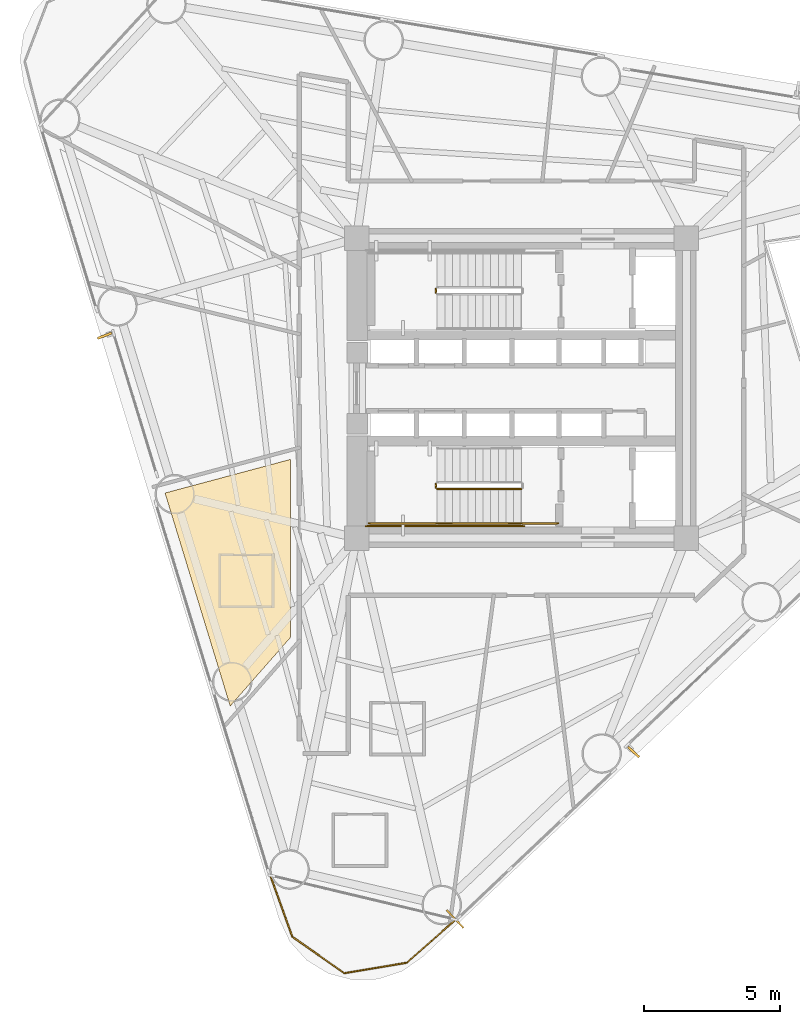
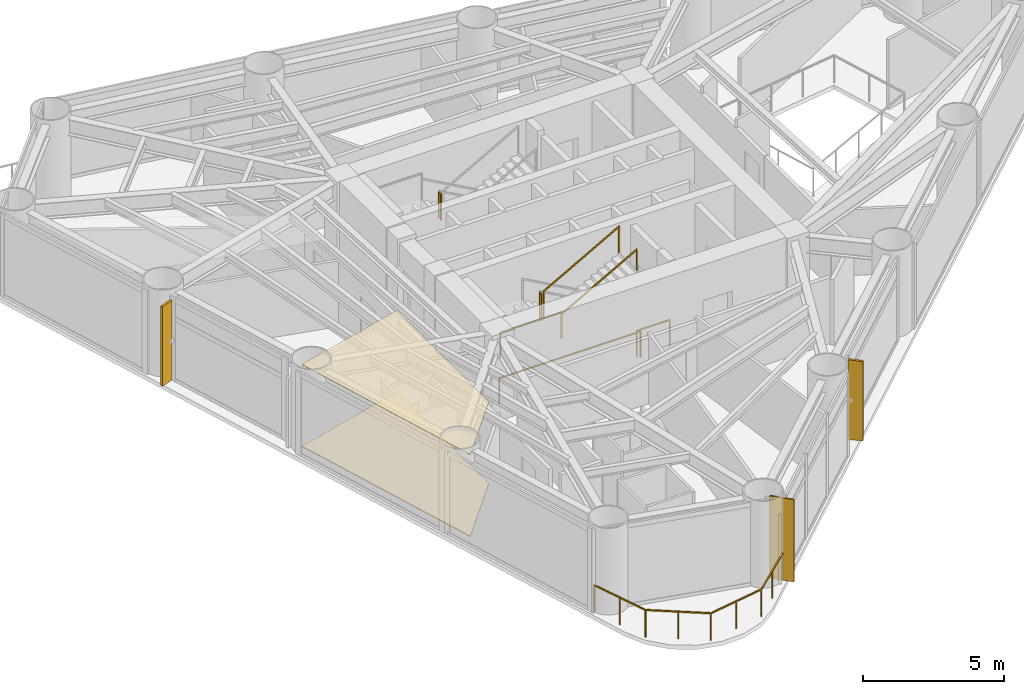
# One storey, part 8 of 10: 8 railings, 3 coverings, 2 shading devices.
"""IFC4 building model written with IfcOpenShell, lengths in metres."""

import ifcopenshell
import ifcopenshell.guid

model = None  # the IFC model being written
_history = None  # IfcOwnerHistory: only IFC2X3 demands one
_inside = {}  # id of a spatial element -> (the spatial element, [elements in it])
_under = {}  # id of a project, library or spatial element -> (it, [spatial elements below it])
_declared = {}  # id of a project -> (the project, [libraries it declares])
_typed = {}  # id of a type object -> (the type object, [elements of that type])
_made_of = {}  # id of a material, layer set ... -> (it, [elements and type objects made of it])


def new_model(schema):
    """Start an empty IFC model of exactly this schema.

    Asked for "IFC4X3", IfcOpenShell would pick the latest addendum, in which some entities
    have other attributes; the version numbers below select the first issue.
    IFC2X3 requires an IfcOwnerHistory on every rooted entity: one is made here for all.
    """
    global model, _history
    if schema == "IFC4X3":
        model = ifcopenshell.file(schema_version=(4, 3, 0, 0))
    else:
        model = ifcopenshell.file(schema=schema)
    _inside.clear()
    _under.clear()
    _declared.clear()
    _typed.clear()
    _made_of.clear()
    _history = None
    if model.schema == "IFC2X3":
        org = make("IfcOrganization", Name="unknown")
        user = make(
            "IfcPersonAndOrganization",
            ThePerson=make("IfcPerson", FamilyName="unknown"),
            TheOrganization=org,
        )
        app = make(
            "IfcApplication",
            ApplicationDeveloper=org,
            Version="unknown",
            ApplicationFullName="unknown",
            ApplicationIdentifier="unknown",
        )
        _history = make(
            "IfcOwnerHistory",
            OwningUser=user,
            OwningApplication=app,
            ChangeAction="ADDED",
            CreationDate=0,
        )
    return model


def make(cls, **values):
    """One entity of the class cls with the attributes given. An attribute that is None is left unset."""
    return model.create_entity(
        cls, **{name: value for name, value in values.items() if value is not None}
    )


def rooted(cls, **values):
    """An entity with a GlobalId (a new one), such as an element, a storey or a relation."""
    return make(cls, GlobalId=ifcopenshell.guid.new(), OwnerHistory=_history, **values)


def si_unit(unit_type, name, prefix=None):
    """IfcSIUnit, for example si_unit("LENGTHUNIT", "METRE", prefix="MILLI")."""
    return make("IfcSIUnit", UnitType=unit_type, Prefix=prefix, Name=name)


def assignment(units):
    """IfcUnitAssignment: the units of a project."""
    return None if units is None else make("IfcUnitAssignment", Units=units)


def point(xyz):
    """IfcCartesianPoint."""
    return None if xyz is None else make("IfcCartesianPoint", Coordinates=xyz)


def direction(xyz):
    """IfcDirection."""
    return None if xyz is None else make("IfcDirection", DirectionRatios=xyz)


def frame(location, z_axis=None, x_axis=None):
    """IfcAxis2Placement3D, a coordinate frame: its origin and axes. An axis left out is left unset."""
    return make(
        "IfcAxis2Placement3D",
        Location=point(location),
        Axis=direction(z_axis),
        RefDirection=direction(x_axis),
    )


def frame_2d(location, x_axis=None):
    """IfcAxis2Placement2D, a coordinate frame in the plane: its origin and x axis."""
    return make(
        "IfcAxis2Placement2D", Location=point(location), RefDirection=direction(x_axis)
    )


def origin():
    """The frame at (0, 0, 0) with its axes left unset."""
    return frame((0.0, 0.0, 0.0))


def origin_2d():
    """The frame at (0, 0) in the plane with its x axis left unset."""
    return frame_2d((0.0, 0.0))


def place(relative_to, where):
    """IfcLocalPlacement: puts the frame where relative to a parent placement (None: the world)."""
    return make(
        "IfcLocalPlacement", PlacementRelTo=relative_to, RelativePlacement=where
    )


def context(
    kind, dimensions, precision=None, world=None, true_north=None, identifier=None
):
    """IfcGeometricRepresentationContext, for example the 3D "Model" context."""
    return make(
        "IfcGeometricRepresentationContext",
        ContextIdentifier=identifier,
        ContextType=kind,
        CoordinateSpaceDimension=dimensions,
        Precision=precision,
        WorldCoordinateSystem=world,
        TrueNorth=true_north,
    )


def subcontext(parent, identifier, kind, view, scale=None):
    """IfcGeometricRepresentationSubContext, for example "Body" below "Model"."""
    return make(
        "IfcGeometricRepresentationSubContext",
        ContextIdentifier=identifier,
        ContextType=kind,
        ParentContext=parent,
        TargetScale=scale,
        TargetView=view,
    )


def project(units=None, contexts=None):
    """IfcProject with its units and contexts."""
    return rooted(
        "IfcProject",
        Name="project",
        RepresentationContexts=contexts,
        UnitsInContext=assignment(units),
    )


def spatial(cls, under=None, at=None, **own):
    """A site, building, storey or space (cls), placed at a placement, below another one or the project."""
    s = rooted(cls, ObjectPlacement=at, **own)
    if under is not None:
        _under.setdefault(under.id(), (under, []))[1].append(s)
    return s


def polyline(points):
    """IfcPolyline through the points."""
    return make("IfcPolyline", Points=[point(p) for p in points])


def profile(cls, at=None, kind="AREA", **sizes):
    """A parametric profile (cls). Its sizes go by their IFC names, for example OverallWidth=200.0."""
    return make(cls, ProfileType=kind, Position=at, **sizes)


def rectangle(**sizes):
    """IfcRectangleProfileDef."""
    return profile("IfcRectangleProfileDef", **sizes)


def outline(outer, holes=None, kind="AREA"):
    """IfcArbitraryClosedProfileDef: a profile drawn as a closed curve; with holes, ...WithVoids."""
    if holes is None:
        return make("IfcArbitraryClosedProfileDef", ProfileType=kind, OuterCurve=outer)
    return make(
        "IfcArbitraryProfileDefWithVoids",
        ProfileType=kind,
        OuterCurve=outer,
        InnerCurves=holes,
    )


def extrude(swept, where, along, depth):
    """IfcExtrudedAreaSolid: the profile swept, set in the frame where, extruded along a direction by depth."""
    return make(
        "IfcExtrudedAreaSolid",
        SweptArea=swept,
        Position=where,
        ExtrudedDirection=direction(along),
        Depth=depth,
    )


def shape(context_of_items, identifier, shape_type, items):
    """IfcShapeRepresentation: the items that make up one representation, for example the "Body"."""
    return make(
        "IfcShapeRepresentation",
        ContextOfItems=context_of_items,
        RepresentationIdentifier=identifier,
        RepresentationType=shape_type,
        Items=items,
    )


def source(mapping_origin, context_of_items, identifier, shape_type, items):
    """IfcRepresentationMap: a shape defined once, which mapped items show again and again."""
    return make(
        "IfcRepresentationMap",
        MappingOrigin=mapping_origin,
        MappedRepresentation=shape(context_of_items, identifier, shape_type, items),
    )


def transform(
    local_origin,
    x_axis=None,
    y_axis=None,
    z_axis=None,
    scale=None,
    scale2=None,
    scale3=None,
    uniform=True,
):
    """IfcCartesianTransformationOperator3D, or its non-uniform kind. x_axis, y_axis, z_axis: its Axis1, 2, 3."""
    if uniform:
        return make(
            "IfcCartesianTransformationOperator3D",
            Axis1=direction(x_axis),
            Axis2=direction(y_axis),
            LocalOrigin=point(local_origin),
            Scale=scale,
            Axis3=direction(z_axis),
        )
    return make(
        "IfcCartesianTransformationOperator3DnonUniform",
        Axis1=direction(x_axis),
        Axis2=direction(y_axis),
        LocalOrigin=point(local_origin),
        Scale=scale,
        Axis3=direction(z_axis),
        Scale2=scale2,
        Scale3=scale3,
    )


def mapped(mapping_source, mapping_target):
    """IfcMappedItem: shows the shape of a source again, moved by a transform."""
    return make(
        "IfcMappedItem", MappingSource=mapping_source, MappingTarget=mapping_target
    )


def material(Name=None, Category=None):
    """IfcMaterial."""
    return make("IfcMaterial", Name=Name, Category=Category)


def layer(
    of_material, thickness, ventilated=None, Name=None, Category=None, Priority=None
):
    """IfcMaterialLayer: one layer of a wall or slab, of a material (None: an air gap)."""
    return make(
        "IfcMaterialLayer",
        Material=of_material,
        LayerThickness=thickness,
        IsVentilated=ventilated,
        Name=Name,
        Category=Category,
        Priority=Priority,
    )


def layer_set(layers, Name=None):
    """IfcMaterialLayerSet."""
    return make("IfcMaterialLayerSet", MaterialLayers=layers, LayerSetName=Name)


def material_profile(
    of_material, cross_section, Name=None, Category=None, Priority=None
):
    """IfcMaterialProfile: a cross section and its material."""
    return make(
        "IfcMaterialProfile",
        Name=Name,
        Material=of_material,
        Profile=cross_section,
        Priority=Priority,
        Category=Category,
    )


def profile_set(profiles, Name=None, composite=None):
    """IfcMaterialProfileSet."""
    return make(
        "IfcMaterialProfileSet",
        Name=Name,
        MaterialProfiles=profiles,
        CompositeProfile=composite,
    )


def made_of(thing, what):
    """Note that an element or type object is made of a material, layer set ...; save() writes the relation."""
    if what is not None:
        _made_of.setdefault(what.id(), (what, []))[1].append(thing)
    return thing


def type_object(cls, material=None, **own):
    """A type object (cls), such as IfcWallType, which elements share."""
    return made_of(rooted(cls, **own), material)


def element(
    cls,
    number,
    at=None,
    inside=None,
    cuts=None,
    type_object=None,
    material=None,
    context=None,
    identifier="Body",
    shape_type=None,
    held_by="IfcProductDefinitionShape",
    body=None,
    shapes=None,
    **own,
):
    """One element of the class cls, such as IfcWall. Its Tag is "e" and its number.

    at: its placement. inside: the storey or other place that contains it. cuts: it is an
    opening in that element (IfcRelVoidsElement). A single representation is given by context,
    identifier, shape_type and body (its items); several are given by shapes. held_by: the class
    of the entity that holds the representations. save() writes the other relations.
    """
    e = rooted(cls, Tag="e%d" % number, ObjectPlacement=at, **own)
    if body is not None:
        shapes = [shape(context, identifier, shape_type, body)]
    if shapes is not None:
        e.Representation = make(held_by, Representations=shapes)
    if inside is not None:
        _inside.setdefault(inside.id(), (inside, []))[1].append(e)
    if cuts is not None:
        rooted(
            "IfcRelVoidsElement", RelatingBuildingElement=cuts, RelatedOpeningElement=e
        )
    if type_object is not None:
        _typed.setdefault(type_object.id(), (type_object, []))[1].append(e)
    return made_of(e, material)


def aggregate(whole, parts):
    """IfcRelAggregates: a whole, such as a stair, and the parts it consists of."""
    return rooted("IfcRelAggregates", RelatingObject=whole, RelatedObjects=parts)


def save(model, path):
    """Write the relations noted so far, then the file.

    IfcRelAggregates (storeys below a building ...), IfcRelContainedInSpatialStructure (elements
    in a storey), IfcRelDefinesByType, IfcRelAssociatesMaterial and IfcRelDeclares: one each for
    every whole, place, type object, material and project.
    """
    for whole, parts in _under.values():
        aggregate(whole, parts)
    for where, things in _inside.values():
        rooted(
            "IfcRelContainedInSpatialStructure",
            RelatedElements=things,
            RelatingStructure=where,
        )
    for kind, things in _typed.values():
        rooted("IfcRelDefinesByType", RelatedObjects=things, RelatingType=kind)
    for what, things in _made_of.values():
        rooted("IfcRelAssociatesMaterial", RelatedObjects=things, RelatingMaterial=what)
    for by, libraries in _declared.values():
        rooted("IfcRelDeclares", RelatingContext=by, RelatedDefinitions=libraries)
    model.write(path)


model = new_model("IFC4")

# Units and contexts
model_context = context("Model", 3, precision=1e-05, world=origin(), true_north=direction((0.0, 1.0)))
body_context = subcontext(model_context, "Body", "Model", "MODEL_VIEW")
ifc_project = project(units=[si_unit("LENGTHUNIT", "METRE"), si_unit("AREAUNIT", "SQUARE_METRE"), si_unit("VOLUMEUNIT", "CUBIC_METRE"), si_unit("PLANEANGLEUNIT", "RADIAN"), si_unit("MASSUNIT", "GRAM", prefix="KILO")], contexts=[model_context])

# Site, building, storey
site_placement = place(None, origin())
site = spatial("IfcSite", under=ifc_project, at=site_placement, CompositionType="ELEMENT")
building_placement = place(site_placement, origin())
building = spatial("IfcBuilding", under=site, at=building_placement, Name="Yunling Apex Tower", CompositionType="ELEMENT")
storey_placement = place(building_placement, frame((0.0, 0.0, 112.39990234375)))
storey = spatial("IfcBuildingStorey", under=building, at=storey_placement, Name="L28", CompositionType="ELEMENT", Elevation=112.39990234375)

# Coverings
ifc_material_1 = material(Name="Acoustic mineral fibre ceiling")
ifc_layer_1 = layer(ifc_material_1, 0.02490234375)
ifc_layer_set_1 = layer_set([ifc_layer_1], Name="Acoustic mineral fibre ceiling")
covering_type_1 = type_object("IfcCoveringType", Name="CV-CLG-1", PredefinedType="CEILING", material=ifc_layer_set_1)
covering_1_placement = place(storey_placement, frame((0.0, 0.0, 3.5400390625)))
element("IfcCovering", 1, at=covering_1_placement, inside=storey, type_object=covering_type_1, Name="CV-CL-SP-L28-R01", PredefinedType="CEILING", context=body_context, shape_type="SweptSolid", body=[
    extrude(outline(polyline([(-13.075439453125, -3.84521484375), (-8.47998046875, -2.61376953125), (-8.47998046875, -9.150146484375), (-10.68603515625, -11.660400390625), (-13.075439453125, -3.84521484375)])), origin(), (0.0, 0.0, 1.0), 0.025146484375),
])
ifc_material_2 = material(Name="Polished granite stone", Category="masonry")
ifc_layer_2 = layer(ifc_material_2, 0.030029296875)
ifc_layer_set_2 = layer_set([ifc_layer_2], Name="Polished granite stone")
covering_type_2 = type_object("IfcCoveringType", Name="CV-FLR-1", PredefinedType="FLOORING", material=ifc_layer_set_2)
covering_2_placement = place(storey_placement, origin())
element("IfcCovering", 2, at=covering_2_placement, inside=storey, type_object=covering_type_2, Name="CV-FL-SP-L28-R01", PredefinedType="FLOORING", context=body_context, shape_type="SweptSolid", body=[
    extrude(outline(polyline([(-13.075439453125, -3.84521484375), (-8.47998046875, -2.61376953125), (-8.47998046875, -9.150146484375), (-10.68603515625, -11.660400390625), (-13.075439453125, -3.84521484375)])), origin(), (0.0, 0.0, 1.0), 0.030029296875),
])

# Railings
ifc_material_3 = material(Name="Bronze anodised aluminium", Category="aluminium")
railing_type_1 = type_object("IfcRailingType", Name="RL-BAL-1200", PredefinedType="BALUSTRADE", material=ifc_material_3)
railing_1_placement = place(storey_placement, frame((-2.412353515625, -19.497314453125, 0.0)))
element("IfcRailing", 3, at=railing_1_placement, inside=storey, type_object=railing_type_1, Name="RL-CRNSILL-L28-3", PredefinedType="BALUSTRADE", context=body_context, shape_type="SweptSolid", body=[
    extrude(rectangle(XDim=0.0439453125, YDim=0.0439453125, at=origin_2d()), origin(), (0.0, 0.0, 1.0), 1.199951171875),
    extrude(rectangle(XDim=0.0439453125, YDim=0.0439453125, at=origin_2d()), frame((-1.796630859375, -1.580078125, 0.0)), (0.0, 0.0, 1.0), 1.199951171875),
    extrude(rectangle(XDim=0.050048828125, YDim=0.050048828125, at=origin_2d()), frame((-0.02880859375, -0.025390625, 1.1748046875), z_axis=(-0.750911858274, -0.660402438748, 0.0), x_axis=(0.660402438748, -0.750911858274, 0.0)), (0.0, 0.0, 1.0), 2.31591796875),
    extrude(rectangle(XDim=0.0439453125, YDim=0.0439453125, at=origin_2d()), frame((-0.8984375, -0.7900390625, 0.0)), (0.0, 0.0, 1.0), 1.14599609375),
    extrude(rectangle(XDim=0.0439453125, YDim=0.0439453125, at=origin_2d()), frame((-4.085205078125, -1.96484375, 0.0)), (0.0, 0.0, 1.0), 1.199951171875),
    extrude(rectangle(XDim=0.050048828125, YDim=0.050048828125, at=origin_2d()), frame((-1.83447265625, -1.58642578125, 1.1748046875), z_axis=(-0.986159782391, -0.165797718908, 0.0), x_axis=(0.165797718908, -0.986159782391, 0.0)), (0.0, 0.0, 1.0), 2.244140625),
    extrude(rectangle(XDim=0.0439453125, YDim=0.0439453125, at=origin_2d()), frame((-2.94091796875, -1.7724609375, 0.0)), (0.0, 0.0, 1.0), 1.14599609375),
    extrude(rectangle(XDim=0.0439453125, YDim=0.0439453125, at=origin_2d()), frame((-5.991943359375, -0.62890625, 0.0)), (0.0, 0.0, 1.0), 1.199951171875),
    extrude(rectangle(XDim=0.050048828125, YDim=0.050048828125, at=origin_2d()), frame((-4.11669921875, -1.94287109375, 1.1748046875), z_axis=(-0.818985520809, 0.573814183081, 0.0), x_axis=(-0.573814183081, -0.818985520809, 0.0)), (0.0, 0.0, 1.0), 2.25146484375),
    extrude(rectangle(XDim=0.0439453125, YDim=0.0439453125, at=origin_2d()), frame((-5.03857421875, -1.296875, 0.0)), (0.0, 0.0, 1.0), 1.14599609375),
    extrude(rectangle(XDim=0.0439453125, YDim=0.0439453125, at=origin_2d()), frame((-6.80224609375, 1.62158203125, 0.0)), (0.0, 0.0, 1.0), 1.199951171875),
    extrude(rectangle(XDim=0.050048828125, YDim=0.050048828125, at=origin_2d()), frame((-6.0048828125, -0.5927734375, 1.1748046875), z_axis=(-0.338766454211, 0.940870495606, 0.0), x_axis=(-0.940870495606, -0.338766454211, 0.0)), (0.0, 0.0, 1.0), 2.315185546875),
    extrude(rectangle(XDim=0.0439453125, YDim=0.0439453125, at=origin_2d()), frame((-6.39697265625, 0.496337890625, 0.0)), (0.0, 0.0, 1.0), 1.14599609375),
])
ifc_material_4 = material(Name="Steel Q355B", Category="steel")
railing_type_2 = type_object("IfcRailingType", Name="RL-GRD-1150", PredefinedType="GUARDRAIL", material=ifc_material_4)
for number, where, name in (
    (4, (-3.139892578125, 3.64990234375, 1.875), "L28 ST-1 stair guard 2"),
    (5, (-3.139892578125, -3.5, 1.875), "L28 ST-2 stair guard 2"),
):
    element("IfcRailing", number, at=place(storey_placement, frame(where)), inside=storey, type_object=railing_type_2, Name=name, PredefinedType="GUARDRAIL", context=body_context, shape_type="SweptSolid", body=[
        extrude(rectangle(XDim=0.0439453125, YDim=0.0439453125, at=origin_2d()), origin(), (0.0, 0.0, 1.0), 1.14990234375),
        extrude(rectangle(XDim=0.0439453125, YDim=0.0439453125, at=origin_2d()), frame((0.0, -0.14990234375, 0.0)), (0.0, 0.0, 1.0), 1.14990234375),
        extrude(rectangle(XDim=0.050048828125, YDim=0.050048828125, at=origin_2d()), frame((0.0, -0.038330078125, 1.125), z_axis=(0.0, -1.0, 0.0), x_axis=(1.0, 0.0, 0.0)), (0.0, 0.0, 1.0), 0.0732421875),
    ])
railing_2_placement = place(storey_placement, frame((-3.090087890625, -4.9599609375, 1.875)))
element("IfcRailing", 6, at=railing_2_placement, inside=storey, type_object=railing_type_2, Name="L28 ST-2 stair guard 3", PredefinedType="GUARDRAIL", context=body_context, shape_type="SweptSolid", body=[
    extrude(rectangle(XDim=0.0439453125, YDim=0.0439453125, at=origin_2d()), origin(), (0.0, 0.0, 1.0), 1.14990234375),
    extrude(rectangle(XDim=0.0439453125, YDim=0.0439453125, at=origin_2d()), frame((-2.510009765625, 0.0, 0.0)), (0.0, 0.0, 1.0), 1.14990234375),
    extrude(rectangle(XDim=0.050048828125, YDim=0.050048828125, at=origin_2d()), frame((-0.038330078125, 0.0, 1.125), z_axis=(-1.0, 0.0, 0.0), x_axis=(0.0, -1.0, 0.0)), (0.0, 0.0, 1.0), 2.433349609375),
])
railing_3_placement = place(storey_placement, frame((-3.090087890625, -3.699951171875, 2.03125)))
element("IfcRailing", 7, at=railing_3_placement, inside=storey, type_object=railing_type_2, Name="L28 ST-2 stair guard 4", PredefinedType="GUARDRAIL", context=body_context, shape_type="SweptSolid", body=[
    extrude(rectangle(XDim=0.0439453125, YDim=0.0439453125, at=origin_2d()), origin(), (0.0, 0.0, 1.0), 1.14990234375),
    extrude(rectangle(XDim=0.0439453125, YDim=0.0439453125, at=origin_2d()), frame((3.080078125, 0.0, 1.71875)), (0.0, 0.0, 1.0), 1.14990234375),
    extrude(rectangle(XDim=0.050048828125, YDim=0.050048828125, at=origin_2d()), frame((0.033447265625, 0.0, 1.1435546875), z_axis=(0.873241540666, 0.0, 0.487287606713), x_axis=(0.0, 1.0, 0.0)), (0.0, 0.0, 1.0), 3.450439453125),
])
railing_4_placement = place(storey_placement, frame((1.35009765625, -4.9599609375, 0.0)))
element("IfcRailing", 8, at=railing_4_placement, inside=storey, type_object=railing_type_2, Name="L28 ST-2 stair guard 6", PredefinedType="GUARDRAIL", context=body_context, shape_type="SweptSolid", body=[
    extrude(rectangle(XDim=0.0439453125, YDim=0.0439453125, at=origin_2d()), origin(), (0.0, 0.0, 1.0), 1.14990234375),
    extrude(rectangle(XDim=0.0439453125, YDim=0.0439453125, at=origin_2d()), frame((-1.360107421875, 0.0, 0.0)), (0.0, 0.0, 1.0), 1.14990234375),
    extrude(rectangle(XDim=0.050048828125, YDim=0.050048828125, at=origin_2d()), frame((-0.038330078125, 0.0, 1.125), z_axis=(-1.0, 0.0, 0.0), x_axis=(0.0, -1.0, 0.0)), (0.0, 0.0, 1.0), 1.283447265625),
])
railing_5_placement = place(storey_placement, frame((0.090087890625, -5.06005859375, 0.0)))
element("IfcRailing", 9, at=railing_5_placement, inside=storey, type_object=railing_type_2, Name="L28 ST-2 stair guard 7", PredefinedType="GUARDRAIL", context=body_context, shape_type="SweptSolid", body=[
    extrude(rectangle(XDim=0.0439453125, YDim=0.0439453125, at=origin_2d()), origin(), (0.0, 0.0, 1.0), 1.14990234375),
    extrude(rectangle(XDim=0.0439453125, YDim=0.0439453125, at=origin_2d()), frame((-5.7900390625, 0.0, 0.0)), (0.0, 0.0, 1.0), 1.14990234375),
    extrude(rectangle(XDim=0.050048828125, YDim=0.050048828125, at=origin_2d()), frame((-0.038330078125, 0.0, 1.125), z_axis=(-1.0, 0.0, 0.0), x_axis=(0.0, -1.0, 0.0)), (0.0, 0.0, 1.0), 5.71337890625),
])
ifc_material_5 = material(Name="Silver anodised aluminium", Category="aluminium")
railing_type_3 = type_object("IfcRailingType", Name="RL-HND-900", PredefinedType="HANDRAIL", material=ifc_material_5)
railing_6_placement = place(storey_placement, frame((-3.090087890625, -4.9599609375, 2.03125)))
element("IfcRailing", 10, at=railing_6_placement, inside=storey, type_object=railing_type_3, Name="L28 ST-2 stair handrail 2", PredefinedType="HANDRAIL", context=body_context, shape_type="SweptSolid", body=[
    extrude(rectangle(XDim=0.0439453125, YDim=0.0439453125, at=origin_2d()), origin(), (0.0, 0.0, 1.0), 0.919921875),
    extrude(rectangle(XDim=0.0439453125, YDim=0.0439453125, at=origin_2d()), frame((3.080078125, 0.0, 1.71875)), (0.0, 0.0, 1.0), 0.919921875),
    extrude(rectangle(XDim=0.050048828125, YDim=0.050048828125, at=origin_2d()), frame((0.033447265625, 0.0, 0.91357421875), z_axis=(0.873241540666, 0.0, 0.487287606713), x_axis=(0.0, 1.0, 0.0)), (0.0, 0.0, 1.0), 3.450439453125),
])

# Covering
ifc_layer_3 = layer(ifc_material_3, 0.0400390625)
ifc_layer_set_3 = layer_set([ifc_layer_3], Name="Bronze anodised aluminium")
covering_type_3 = type_object("IfcCoveringType", Name="CV-CLD-1", PredefinedType="CLADDING", material=ifc_layer_set_3)
shared_shape_1 = source(origin(), body_context, "Body", "SweptSolid", [
    extrude(rectangle(XDim=0.06005859375, YDim=0.89990234375, at=origin_2d()), origin(), (0.0, 0.0, 1.0), 3.56494140625),
])
covering_3_placement = place(storey_placement, frame((-2.4365234375, -19.4716796875, 0.000244140625), z_axis=(0.0, 0.0, 1.0), x_axis=(0.725854756355, 0.687848001144, 0.0)))
element("IfcCovering", 11, at=covering_3_placement, inside=storey, type_object=covering_type_3, Name="CV-CLD-L28", PredefinedType="CLADDING", context=body_context, shape_type="MappedRepresentation", body=[
    mapped(shared_shape_1, transform((0.0, 0.0, 0.0), scale=1.0)),
])

# Shading devices
ifc_material_profile = material_profile(ifc_material_3, rectangle(XDim=0.0849609375, YDim=0.550048828125, at=origin_2d()))
ifc_profile_set = profile_set([ifc_material_profile], Name="Bronze anodised aluminium")
shading_device_type = type_object("IfcShadingDeviceType", Name="FN-BRZ-3", PredefinedType="USERDEFINED", material=ifc_profile_set)
shared_shape_2 = source(origin(), body_context, "Body", "SweptSolid", [
    extrude(rectangle(XDim=0.0849609375, YDim=0.550048828125, at=origin_2d()), origin(), (0.0, 0.0, 1.0), 3.445068359375),
])
for number, where, z_axis, x_axis, name in (
    (12, (4.11376953125, -13.347412109375, 0.06005859375), (0.0, 0.0, 1.0), (0.679313233894, 0.733848438205, 0.0), "CW-L28-F1-B2-FIN-01"),
    (13, (-15.29443359375, 1.92529296875, 0.06005859375), (0.0, 0.0, 1.0), (0.354291037998, -0.935135209686, 0.0), "CW-L28-F3-B2-FIN-01"),
):
    element("IfcShadingDevice", number, at=place(storey_placement, frame(where, z_axis=z_axis, x_axis=x_axis)), inside=storey, type_object=shading_device_type, Name=name, ObjectType="FIN", PredefinedType="USERDEFINED", context=body_context, shape_type="MappedRepresentation", body=[
        mapped(shared_shape_2, transform((0.0, 0.0, 0.0), scale=1.0)),
    ])

save(model, "model.ifc")
